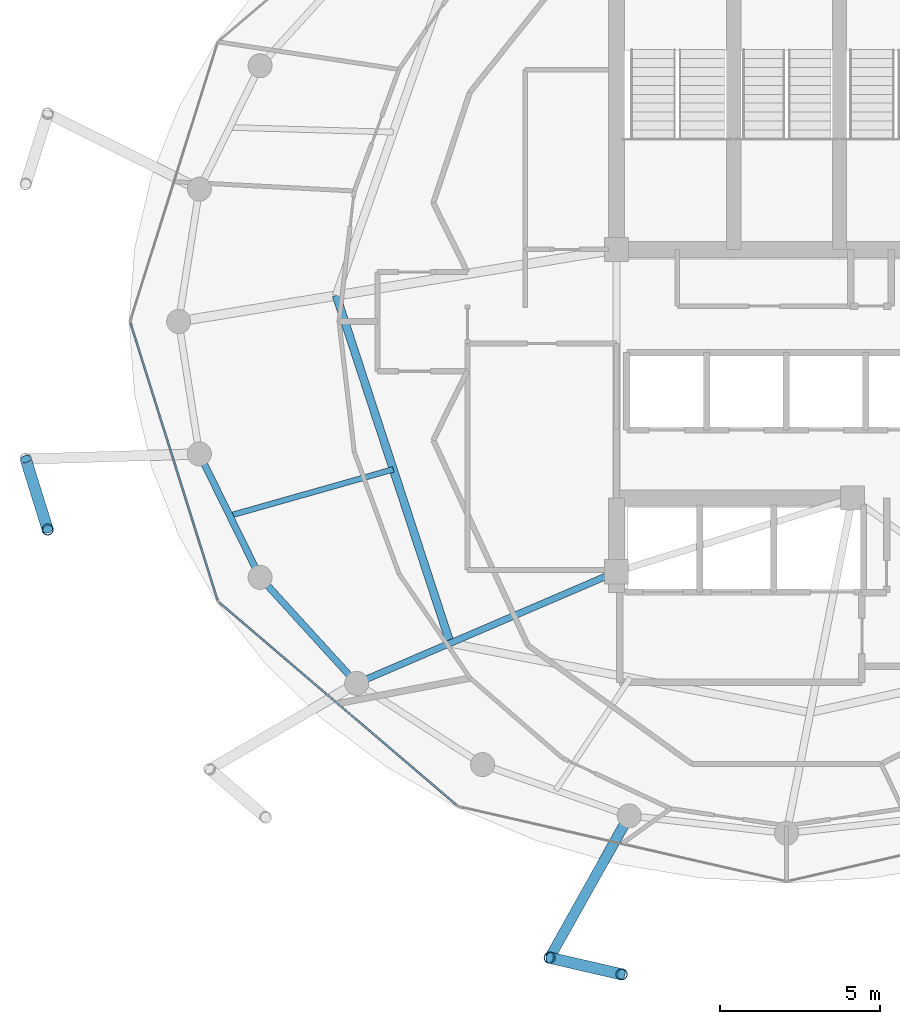
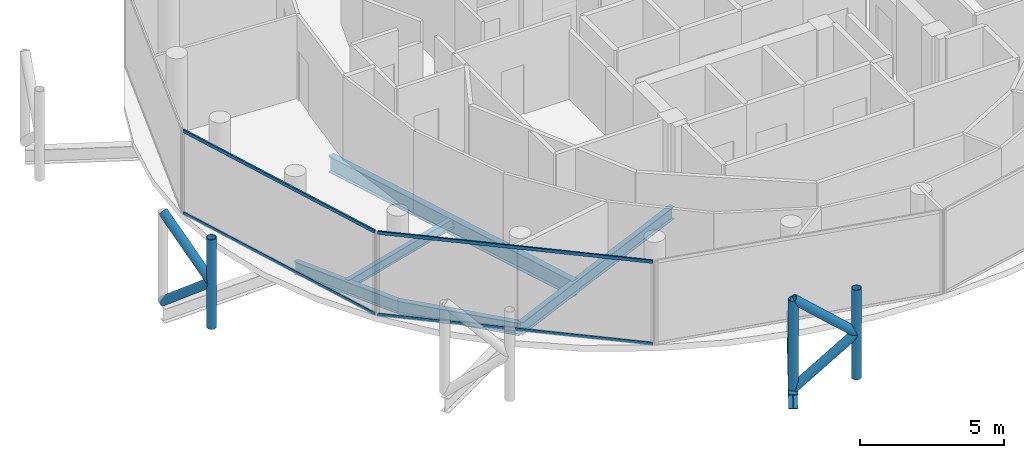
# One storey, part 3 of 24: 11 members, 6 beams, 2 elements without a shape of their own.
"""IFC4 building model written with IfcOpenShell, lengths in metres."""

from ifc_helpers import new_model, si_unit, direction, frame, origin, origin_2d, place, context, subcontext, project, spatial, hollow_rectangle, hollow_circle, i_section, extrude, material, layer, layer_set, material_profile, profile_set, type_object, element, aggregate, save


model = new_model("IFC4")

# Units and contexts
model_context = context("Model", 3, precision=1e-05, world=origin(), true_north=direction((0.0, 1.0)))
body_context = subcontext(model_context, "Body", "Model", "MODEL_VIEW")
ifc_project = project(units=[si_unit("LENGTHUNIT", "METRE"), si_unit("AREAUNIT", "SQUARE_METRE"), si_unit("VOLUMEUNIT", "CUBIC_METRE"), si_unit("PLANEANGLEUNIT", "RADIAN"), si_unit("MASSUNIT", "GRAM", prefix="KILO")], contexts=[model_context])

# Site, building, storey
site_placement = place(None, origin())
site = spatial("IfcSite", under=ifc_project, at=site_placement, CompositionType="ELEMENT")
building_placement = place(site_placement, origin())
building = spatial("IfcBuilding", under=site, at=building_placement, Name="Nuhasar Tower", CompositionType="ELEMENT")
storey_placement = place(building_placement, frame((0.0, 0.0, 278.39990234375)))
storey = spatial("IfcBuildingStorey", under=building, at=storey_placement, Name="L69", CompositionType="ELEMENT", Elevation=278.39990234375)

# Beams
ifc_material_1 = material(Name="Steel S355", Category="steel")
ifc_material_profile_1 = material_profile(ifc_material_1, i_section(OverallWidth=0.25390625, OverallDepth=0.68408203125, WebThickness=0.012451171875, FlangeThickness=0.018798828125, at=origin_2d()), Name="W27X94")
ifc_profile_set_1 = profile_set([ifc_material_profile_1], Name="Steel S355")
beam_type_1 = type_object("IfcBeamType", Name="BM-INRING-W27X94", PredefinedType="BEAM", material=ifc_profile_set_1)
beam_1_placement = place(storey_placement, frame((24.964111328125, 27.610107421875, -0.601806640625), z_axis=(0.311483801376, -0.950251462235, 0.0), x_axis=(0.950251462235, 0.311483801376, 0.0)))
element("IfcBeam", 1, at=beam_1_placement, inside=storey, type_object=beam_type_1, Name="L69 Inner Header Beam 08", PredefinedType="BEAM", context=body_context, shape_type="SweptSolid", body=[
    extrude(i_section(OverallWidth=0.25390625, OverallDepth=0.68408203125, WebThickness=0.012451171875, FlangeThickness=0.018798828125, at=origin_2d()), origin(), (0.0, 0.0, 1.0), 11.403564453125),
])
ifc_material_profile_2 = material_profile(ifc_material_1, i_section(OverallWidth=0.177978515625, OverallDepth=0.406005859375, WebThickness=0.0078125, FlangeThickness=0.0126953125, at=origin_2d()), Name="W16X40")
ifc_profile_set_2 = profile_set([ifc_material_profile_2], Name="Steel S355")
beam_type_2 = type_object("IfcBeamType", Name="BM-JST-W16X40", PredefinedType="JOIST", material=ifc_profile_set_2)
beam_2_placement = place(storey_placement, frame((26.739990234375, 22.19189453125, -0.462890625), z_axis=(-0.962154316042, -0.272505178156, 0.0), x_axis=(0.272505178156, -0.962154316042, 0.0)))
element("IfcBeam", 2, at=beam_2_placement, inside=storey, type_object=beam_type_2, Name="L69 Secondary Floor Joist 08", PredefinedType="JOIST", context=body_context, shape_type="SweptSolid", body=[
    extrude(i_section(OverallWidth=0.177978515625, OverallDepth=0.406005859375, WebThickness=0.0078125, FlangeThickness=0.0126953125, at=origin_2d()), origin(), (0.0, 0.0, 1.0), 5.29833984375),
])
ifc_material_profile_3 = material_profile(ifc_material_1, i_section(OverallWidth=0.208984375, OverallDepth=0.528076171875, WebThickness=0.009521484375, FlangeThickness=0.01318359375, at=origin_2d()), Name="W21X55")
ifc_profile_set_3 = profile_set([ifc_material_profile_3], Name="Steel S355")
beam_type_3 = type_object("IfcBeamType", Name="BM-RAD-W21X55", PredefinedType="BEAM", material=ifc_profile_set_3)
beam_3_placement = place(storey_placement, frame((33.699951171875, 19.0, -0.52392578125), z_axis=(-0.91887119061, -0.394557644797, 0.0), x_axis=(0.394557644797, -0.91887119061, 0.0)))
element("IfcBeam", 3, at=beam_3_placement, inside=storey, type_object=beam_type_3, Name="L69 Radial Floor Girder 01", PredefinedType="BEAM", context=body_context, shape_type="SweptSolid", body=[
    extrude(i_section(OverallWidth=0.208984375, OverallDepth=0.528076171875, WebThickness=0.009521484375, FlangeThickness=0.01318359375, at=origin_2d()), origin(), (0.0, 0.0, 1.0), 8.81494140625),
])
ifc_material_profile_4 = material_profile(ifc_material_1, i_section(OverallWidth=0.2099609375, OverallDepth=0.537109375, WebThickness=0.010986328125, FlangeThickness=0.017333984375, at=origin_2d()), Name="W21X68")
ifc_profile_set_4 = profile_set([ifc_material_profile_4], Name="Steel S355")
beam_type_4 = type_object("IfcBeamType", Name="BM-RING-W21X68", PredefinedType="SPANDREL", material=ifc_profile_set_4)
beam_4_placement = place(storey_placement, frame((20.696044921875, 22.672119140625, -0.52880859375), z_axis=(0.441510561726, -0.897256052576, 0.0), x_axis=(0.897256052576, 0.441510561726, 0.0)))
element("IfcBeam", 4, at=beam_4_placement, inside=storey, type_object=beam_type_4, Name="L69 Perimeter Ring Spandrel 14", PredefinedType="SPANDREL", context=body_context, shape_type="SweptSolid", body=[
    extrude(i_section(OverallWidth=0.2099609375, OverallDepth=0.537109375, WebThickness=0.010986328125, FlangeThickness=0.017333984375, at=origin_2d()), origin(), (0.0, 0.0, 1.0), 4.28759765625),
])
beam_5_placement = place(storey_placement, frame((22.589111328125, 18.824951171875, -0.52880859375), z_axis=(0.673686302939, -0.739017432293, 0.0), x_axis=(0.739017432293, 0.673686302939, 0.0)))
element("IfcBeam", 5, at=beam_5_placement, inside=storey, type_object=beam_type_4, Name="L69 Perimeter Ring Spandrel 15", PredefinedType="SPANDREL", context=body_context, shape_type="SweptSolid", body=[
    extrude(i_section(OverallWidth=0.2099609375, OverallDepth=0.537109375, WebThickness=0.010986328125, FlangeThickness=0.017333984375, at=origin_2d()), origin(), (0.0, 0.0, 1.0), 4.469482421875),
])
ifc_material_profile_5 = material_profile(ifc_material_1, i_section(OverallWidth=0.323974609375, OverallDepth=0.611083984375, WebThickness=0.0126953125, FlangeThickness=0.01904296875, at=origin_2d()), Name="W24X104")
ifc_profile_set_5 = profile_set([ifc_material_profile_5], Name="Steel S355")
beam_type_5 = type_object("IfcBeamType", Name="BM-TIE-W24X104", PredefinedType="BEAM", material=ifc_profile_set_5)
beam_6_placement = place(storey_placement, frame((34.094970703125, 11.39306640625, -0.56591796875), z_axis=(-0.488667847762, -0.872469904675, 0.0), x_axis=(0.872469904675, -0.488667847762, 0.0)))
element("IfcBeam", 6, at=beam_6_placement, inside=storey, type_object=beam_type_5, Name="L69 Exoskeleton Node Tie Beam 09", PredefinedType="BEAM", context=body_context, shape_type="SweptSolid", body=[
    extrude(i_section(OverallWidth=0.323974609375, OverallDepth=0.611083984375, WebThickness=0.0126953125, FlangeThickness=0.01904296875, at=origin_2d()), origin(), (0.0, 0.0, 1.0), 5.072998046875),
])

# Curtain wall, members
ifc_material_2 = material(Name="Aluminium 6063-T6", Category="aluminium")
ifc_layer = layer(ifc_material_2, 0.18994140625)
ifc_layer_set = layer_set([ifc_layer], Name="Aluminium 6063-T6")
curtain_wall_type = type_object("IfcCurtainWallType", Name="CW-Z4-PEN", PredefinedType="NOTDEFINED", material=ifc_layer_set)
curtain_wall_1_placement = place(storey_placement, origin())
curtain_wall_1 = element("IfcCurtainWall", 7, at=curtain_wall_1_placement, inside=storey, type_object=curtain_wall_type, Name="L69 Unitised Curtain Wall 07", PredefinedType="NOTDEFINED")
ifc_material_profile_6 = material_profile(ifc_material_2, hollow_rectangle(XDim=0.06005859375, YDim=0.135009765625, WallThickness=0.00439453125, at=origin_2d()), Name="CWT-5")
ifc_profile_set_6 = profile_set([ifc_material_profile_6], Name="Aluminium 6063-T6")
member_type_1 = type_object("IfcMemberType", Name="CW-TRN-S5", PredefinedType="USERDEFINED", material=ifc_profile_set_6)
member_1_placement = place(storey_placement, frame((18.557861328125, 26.74267578125, 0.030029296875), z_axis=(0.29956014073, -0.954077419335, 0.0), x_axis=(0.954077419335, 0.29956014073, 0.0)))
member_1 = element("IfcMember", 8, at=member_1_placement, type_object=member_type_1, Name="CW-Z4 transom 1.1", ObjectType="TRANSOM", PredefinedType="USERDEFINED", context=body_context, shape_type="SweptSolid", body=[
    extrude(hollow_rectangle(XDim=0.06005859375, YDim=0.135009765625, WallThickness=0.00439453125, at=origin_2d()), origin(), (0.0, 0.0, 1.0), 9.0302734375),
])
member_2_placement = place(storey_placement, frame((18.557861328125, 26.74267578125, 3.510009765625), z_axis=(0.29956014073, -0.954077419335, 0.0), x_axis=(0.954077419335, 0.29956014073, 0.0)))
member_2 = element("IfcMember", 9, at=member_2_placement, type_object=member_type_1, Name="CW-Z4 transom 1.2", ObjectType="TRANSOM", PredefinedType="USERDEFINED", context=body_context, shape_type="SweptSolid", body=[
    extrude(hollow_rectangle(XDim=0.06005859375, YDim=0.135009765625, WallThickness=0.00439453125, at=origin_2d()), origin(), (0.0, 0.0, 1.0), 9.0302734375),
])
aggregate(curtain_wall_1, [member_1, member_2])

curtain_wall_2_placement = place(storey_placement, origin())
curtain_wall_2 = element("IfcCurtainWall", 10, at=curtain_wall_2_placement, inside=storey, type_object=curtain_wall_type, Name="L69 Unitised Curtain Wall 08", PredefinedType="NOTDEFINED")
member_3_placement = place(storey_placement, frame((21.32666015625, 18.031005859375, 0.030029296875), z_axis=(0.760672431431, -0.649135927261, 0.0), x_axis=(0.649135927261, 0.760672431431, 0.0)))
member_3 = element("IfcMember", 11, at=member_3_placement, type_object=member_type_1, Name="CW-Z4 transom 1.1", ObjectType="TRANSOM", PredefinedType="USERDEFINED", context=body_context, shape_type="SweptSolid", body=[
    extrude(hollow_rectangle(XDim=0.06005859375, YDim=0.135009765625, WallThickness=0.00439453125, at=origin_2d()), origin(), (0.0, 0.0, 1.0), 9.72509765625),
])
member_4_placement = place(storey_placement, frame((21.32666015625, 18.031005859375, 3.510009765625), z_axis=(0.760672431431, -0.649135927261, 0.0), x_axis=(0.649135927261, 0.760672431431, 0.0)))
member_4 = element("IfcMember", 12, at=member_4_placement, type_object=member_type_1, Name="CW-Z4 transom 1.2", ObjectType="TRANSOM", PredefinedType="USERDEFINED", context=body_context, shape_type="SweptSolid", body=[
    extrude(hollow_rectangle(XDim=0.06005859375, YDim=0.135009765625, WallThickness=0.00439453125, at=origin_2d()), origin(), (0.0, 0.0, 1.0), 9.72509765625),
])
aggregate(curtain_wall_2, [member_3, member_4])

# Members
ifc_material_3 = material(Name="Steel S460", Category="steel")
ifc_material_profile_7 = material_profile(ifc_material_3, hollow_circle(Radius=0.177734375, WallThickness=0.015869140625, at=origin_2d()), Name="HSS355.6X15.9")
ifc_profile_set_7 = profile_set([ifc_material_profile_7], Name="Steel S460")
member_type_2 = type_object("IfcMemberType", Name="EXO-BRONZE-356", PredefinedType="BRACE", material=ifc_profile_set_7)
for number, where, z_axis, x_axis, name in (
    (13, (15.967041015625, 20.319091796875, 0.0), (0.0, 0.0, 1.0), (1.0, 0.0, 0.0), "L69 Exoskeleton Chord Column EC-07B"),
    (14, (31.615966796875, 6.967041015625, 0.0), (0.0, 0.0, 1.0), (1.0, 0.0, 0.0), "L69 Exoskeleton Chord Column EC-09A"),
    (15, (33.85693359375, 6.450927734375, 0.0), (0.0, 0.0, 1.0), (1.0, 0.0, 0.0), "L69 Exoskeleton Chord Column EC-09B"),
):
    element("IfcMember", number, at=place(storey_placement, frame(where, z_axis=z_axis, x_axis=x_axis)), inside=storey, type_object=member_type_2, Name=name, PredefinedType="BRACE", context=body_context, shape_type="SweptSolid", body=[
        extrude(hollow_circle(Radius=0.177734375, WallThickness=0.015869140625, at=origin_2d()), origin(), (0.0, 0.0, 1.0), 3.800048828125),
    ])
member_5_placement = place(storey_placement, frame((15.281982421875, 22.513916015625, 0.0), z_axis=(0.229669386127, -0.73582600901, 0.637033796232), x_axis=(0.954581948223, 0.297948492404, 0.0)))
element("IfcMember", 16, at=member_5_placement, inside=storey, type_object=member_type_2, Name="L69 Bronze Diagrid Brace W1-07", PredefinedType="BRACE", context=body_context, shape_type="SweptSolid", body=[
    extrude(hollow_circle(Radius=0.177734375, WallThickness=0.015869140625, at=origin_2d()), origin(), (0.0, 0.0, 1.0), 2.98291015625),
])
member_6_placement = place(storey_placement, frame((15.967041015625, 20.319091796875, 1.900146484375), z_axis=(-0.229681361446, 0.735864376122, 0.636985158507), x_axis=(-0.954581948223, -0.297948492404, 0.0)))
element("IfcMember", 17, at=member_6_placement, inside=storey, type_object=member_type_2, Name="L69 Bronze Diagrid Brace W2-07", PredefinedType="BRACE", context=body_context, shape_type="SweptSolid", body=[
    extrude(hollow_circle(Radius=0.177734375, WallThickness=0.015869140625, at=origin_2d()), origin(), (0.0, 0.0, 1.0), 2.982666015625),
])
member_7_placement = place(storey_placement, frame((31.615966796875, 6.967041015625, 0.0), z_axis=(0.751221815951, -0.173012628709, 0.636971281571), x_axis=(0.224433035437, 0.97448951385, 0.0)))
element("IfcMember", 18, at=member_7_placement, inside=storey, type_object=member_type_2, Name="L69 Bronze Diagrid Brace W1-09", PredefinedType="BRACE", context=body_context, shape_type="SweptSolid", body=[
    extrude(hollow_circle(Radius=0.177734375, WallThickness=0.015869140625, at=origin_2d()), origin(), (0.0, 0.0, 1.0), 2.983154296875),
])
member_8_placement = place(storey_placement, frame((33.85693359375, 6.450927734375, 1.900146484375), z_axis=(-0.751260978137, 0.173021648086, 0.636922642103), x_axis=(-0.224433035437, -0.97448951385, 0.0)))
element("IfcMember", 19, at=member_8_placement, inside=storey, type_object=member_type_2, Name="L69 Bronze Diagrid Brace W2-09", PredefinedType="BRACE", context=body_context, shape_type="SweptSolid", body=[
    extrude(hollow_circle(Radius=0.177734375, WallThickness=0.015869140625, at=origin_2d()), origin(), (0.0, 0.0, 1.0), 2.98291015625),
])

save(model, "model.ifc")
